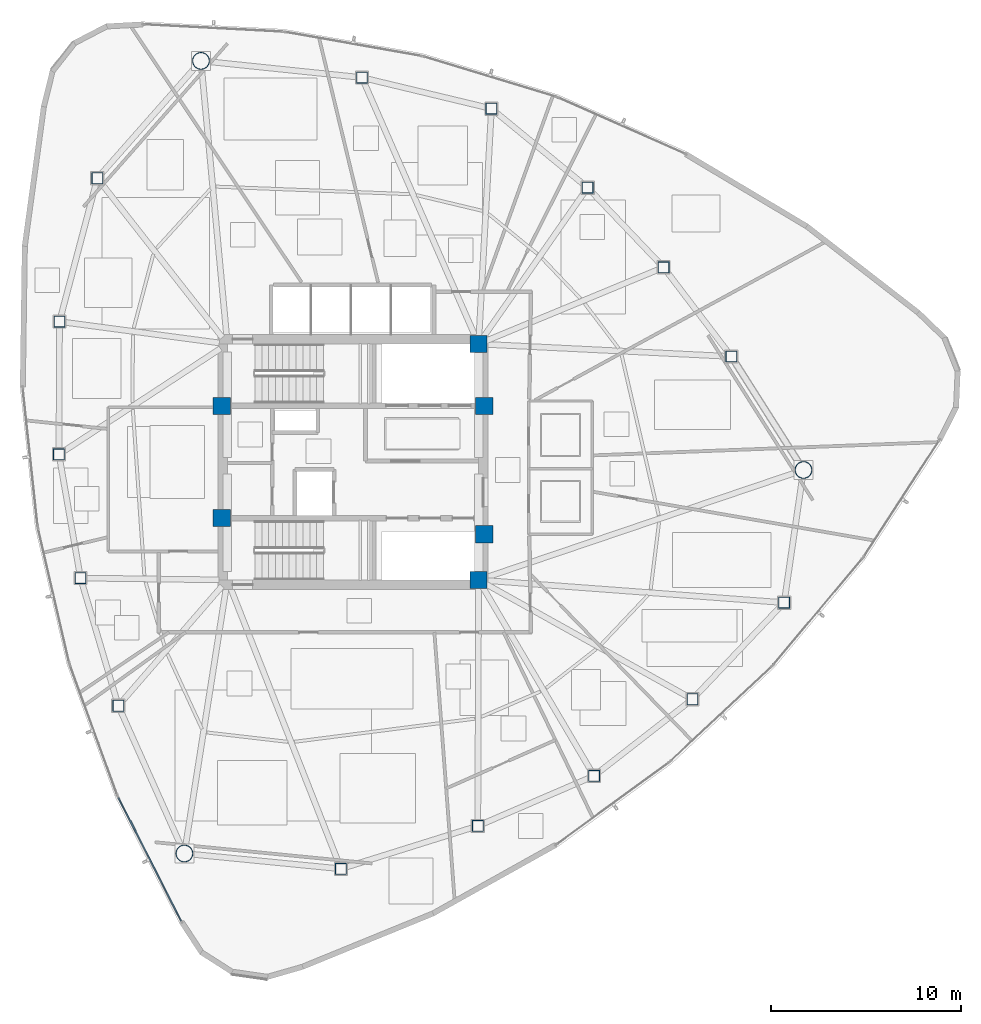
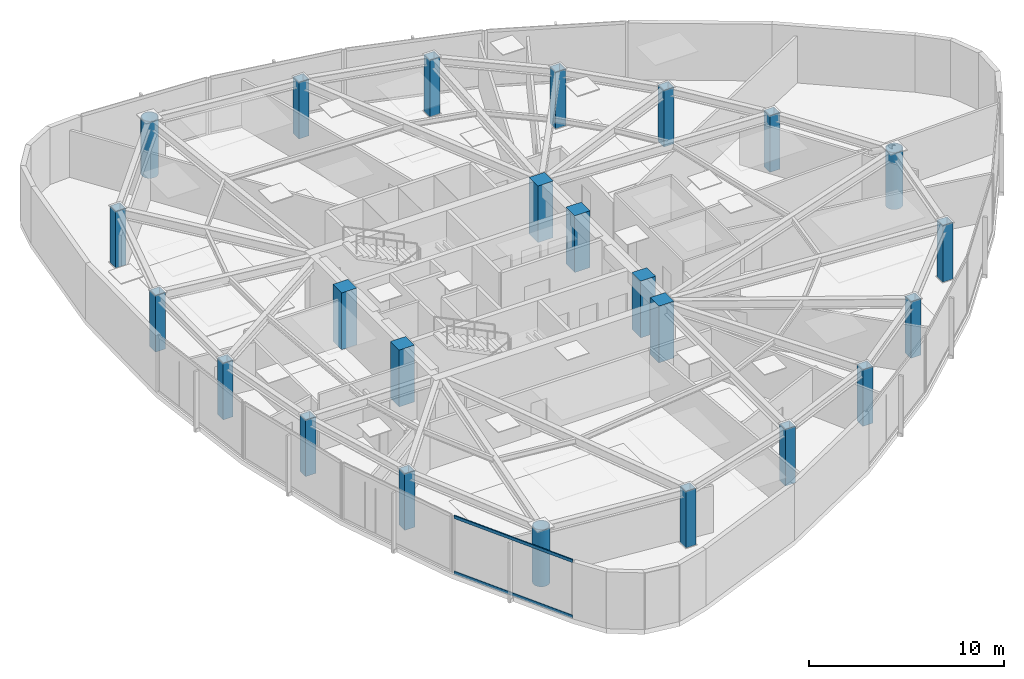
# One storey, part 1 of 17: 24 columns, 2 members, 1 element without a shape of its own.
"""IFC4 building model written with IfcOpenShell, lengths in metres."""

import ifcopenshell
import ifcopenshell.guid

model = None  # the IFC model being written
_history = None  # IfcOwnerHistory: only IFC2X3 demands one
_inside = {}  # id of a spatial element -> (the spatial element, [elements in it])
_under = {}  # id of a project, library or spatial element -> (it, [spatial elements below it])
_declared = {}  # id of a project -> (the project, [libraries it declares])
_typed = {}  # id of a type object -> (the type object, [elements of that type])
_made_of = {}  # id of a material, layer set ... -> (it, [elements and type objects made of it])


def new_model(schema):
    """Start an empty IFC model of exactly this schema.

    Asked for "IFC4X3", IfcOpenShell would pick the latest addendum, in which some entities
    have other attributes; the version numbers below select the first issue.
    IFC2X3 requires an IfcOwnerHistory on every rooted entity: one is made here for all.
    """
    global model, _history
    if schema == "IFC4X3":
        model = ifcopenshell.file(schema_version=(4, 3, 0, 0))
    else:
        model = ifcopenshell.file(schema=schema)
    _inside.clear()
    _under.clear()
    _declared.clear()
    _typed.clear()
    _made_of.clear()
    _history = None
    if model.schema == "IFC2X3":
        org = make("IfcOrganization", Name="unknown")
        user = make(
            "IfcPersonAndOrganization",
            ThePerson=make("IfcPerson", FamilyName="unknown"),
            TheOrganization=org,
        )
        app = make(
            "IfcApplication",
            ApplicationDeveloper=org,
            Version="unknown",
            ApplicationFullName="unknown",
            ApplicationIdentifier="unknown",
        )
        _history = make(
            "IfcOwnerHistory",
            OwningUser=user,
            OwningApplication=app,
            ChangeAction="ADDED",
            CreationDate=0,
        )
    return model


def make(cls, **values):
    """One entity of the class cls with the attributes given. An attribute that is None is left unset."""
    return model.create_entity(
        cls, **{name: value for name, value in values.items() if value is not None}
    )


def rooted(cls, **values):
    """An entity with a GlobalId (a new one), such as an element, a storey or a relation."""
    return make(cls, GlobalId=ifcopenshell.guid.new(), OwnerHistory=_history, **values)


def si_unit(unit_type, name, prefix=None):
    """IfcSIUnit, for example si_unit("LENGTHUNIT", "METRE", prefix="MILLI")."""
    return make("IfcSIUnit", UnitType=unit_type, Prefix=prefix, Name=name)


def assignment(units):
    """IfcUnitAssignment: the units of a project."""
    return None if units is None else make("IfcUnitAssignment", Units=units)


def point(xyz):
    """IfcCartesianPoint."""
    return None if xyz is None else make("IfcCartesianPoint", Coordinates=xyz)


def direction(xyz):
    """IfcDirection."""
    return None if xyz is None else make("IfcDirection", DirectionRatios=xyz)


def frame(location, z_axis=None, x_axis=None):
    """IfcAxis2Placement3D, a coordinate frame: its origin and axes. An axis left out is left unset."""
    return make(
        "IfcAxis2Placement3D",
        Location=point(location),
        Axis=direction(z_axis),
        RefDirection=direction(x_axis),
    )


def frame_2d(location, x_axis=None):
    """IfcAxis2Placement2D, a coordinate frame in the plane: its origin and x axis."""
    return make(
        "IfcAxis2Placement2D", Location=point(location), RefDirection=direction(x_axis)
    )


def origin():
    """The frame at (0, 0, 0) with its axes left unset."""
    return frame((0.0, 0.0, 0.0))


def origin_2d():
    """The frame at (0, 0) in the plane with its x axis left unset."""
    return frame_2d((0.0, 0.0))


def place(relative_to, where):
    """IfcLocalPlacement: puts the frame where relative to a parent placement (None: the world)."""
    return make(
        "IfcLocalPlacement", PlacementRelTo=relative_to, RelativePlacement=where
    )


def context(
    kind, dimensions, precision=None, world=None, true_north=None, identifier=None
):
    """IfcGeometricRepresentationContext, for example the 3D "Model" context."""
    return make(
        "IfcGeometricRepresentationContext",
        ContextIdentifier=identifier,
        ContextType=kind,
        CoordinateSpaceDimension=dimensions,
        Precision=precision,
        WorldCoordinateSystem=world,
        TrueNorth=true_north,
    )


def subcontext(parent, identifier, kind, view, scale=None):
    """IfcGeometricRepresentationSubContext, for example "Body" below "Model"."""
    return make(
        "IfcGeometricRepresentationSubContext",
        ContextIdentifier=identifier,
        ContextType=kind,
        ParentContext=parent,
        TargetScale=scale,
        TargetView=view,
    )


def project(units=None, contexts=None):
    """IfcProject with its units and contexts."""
    return rooted(
        "IfcProject",
        Name="project",
        RepresentationContexts=contexts,
        UnitsInContext=assignment(units),
    )


def spatial(cls, under=None, at=None, **own):
    """A site, building, storey or space (cls), placed at a placement, below another one or the project."""
    s = rooted(cls, ObjectPlacement=at, **own)
    if under is not None:
        _under.setdefault(under.id(), (under, []))[1].append(s)
    return s


def profile(cls, at=None, kind="AREA", **sizes):
    """A parametric profile (cls). Its sizes go by their IFC names, for example OverallWidth=200.0."""
    return make(cls, ProfileType=kind, Position=at, **sizes)


def rectangle(**sizes):
    """IfcRectangleProfileDef."""
    return profile("IfcRectangleProfileDef", **sizes)


def hollow_rectangle(**sizes):
    """IfcRectangleHollowProfileDef."""
    return profile("IfcRectangleHollowProfileDef", **sizes)


def hollow_circle(**sizes):
    """IfcCircleHollowProfileDef."""
    return profile("IfcCircleHollowProfileDef", **sizes)


def extrude(swept, where, along, depth):
    """IfcExtrudedAreaSolid: the profile swept, set in the frame where, extruded along a direction by depth."""
    return make(
        "IfcExtrudedAreaSolid",
        SweptArea=swept,
        Position=where,
        ExtrudedDirection=direction(along),
        Depth=depth,
    )


def shape(context_of_items, identifier, shape_type, items):
    """IfcShapeRepresentation: the items that make up one representation, for example the "Body"."""
    return make(
        "IfcShapeRepresentation",
        ContextOfItems=context_of_items,
        RepresentationIdentifier=identifier,
        RepresentationType=shape_type,
        Items=items,
    )


def source(mapping_origin, context_of_items, identifier, shape_type, items):
    """IfcRepresentationMap: a shape defined once, which mapped items show again and again."""
    return make(
        "IfcRepresentationMap",
        MappingOrigin=mapping_origin,
        MappedRepresentation=shape(context_of_items, identifier, shape_type, items),
    )


def transform(
    local_origin,
    x_axis=None,
    y_axis=None,
    z_axis=None,
    scale=None,
    scale2=None,
    scale3=None,
    uniform=True,
):
    """IfcCartesianTransformationOperator3D, or its non-uniform kind. x_axis, y_axis, z_axis: its Axis1, 2, 3."""
    if uniform:
        return make(
            "IfcCartesianTransformationOperator3D",
            Axis1=direction(x_axis),
            Axis2=direction(y_axis),
            LocalOrigin=point(local_origin),
            Scale=scale,
            Axis3=direction(z_axis),
        )
    return make(
        "IfcCartesianTransformationOperator3DnonUniform",
        Axis1=direction(x_axis),
        Axis2=direction(y_axis),
        LocalOrigin=point(local_origin),
        Scale=scale,
        Axis3=direction(z_axis),
        Scale2=scale2,
        Scale3=scale3,
    )


def mapped(mapping_source, mapping_target):
    """IfcMappedItem: shows the shape of a source again, moved by a transform."""
    return make(
        "IfcMappedItem", MappingSource=mapping_source, MappingTarget=mapping_target
    )


def material(Name=None, Category=None):
    """IfcMaterial."""
    return make("IfcMaterial", Name=Name, Category=Category)


def layer(
    of_material, thickness, ventilated=None, Name=None, Category=None, Priority=None
):
    """IfcMaterialLayer: one layer of a wall or slab, of a material (None: an air gap)."""
    return make(
        "IfcMaterialLayer",
        Material=of_material,
        LayerThickness=thickness,
        IsVentilated=ventilated,
        Name=Name,
        Category=Category,
        Priority=Priority,
    )


def layer_set(layers, Name=None):
    """IfcMaterialLayerSet."""
    return make("IfcMaterialLayerSet", MaterialLayers=layers, LayerSetName=Name)


def material_profile(
    of_material, cross_section, Name=None, Category=None, Priority=None
):
    """IfcMaterialProfile: a cross section and its material."""
    return make(
        "IfcMaterialProfile",
        Name=Name,
        Material=of_material,
        Profile=cross_section,
        Priority=Priority,
        Category=Category,
    )


def profile_set(profiles, Name=None, composite=None):
    """IfcMaterialProfileSet."""
    return make(
        "IfcMaterialProfileSet",
        Name=Name,
        MaterialProfiles=profiles,
        CompositeProfile=composite,
    )


def made_of(thing, what):
    """Note that an element or type object is made of a material, layer set ...; save() writes the relation."""
    if what is not None:
        _made_of.setdefault(what.id(), (what, []))[1].append(thing)
    return thing


def type_object(cls, material=None, **own):
    """A type object (cls), such as IfcWallType, which elements share."""
    return made_of(rooted(cls, **own), material)


def type_shapes(of_type, sources):
    """Give a type object the sources (RepresentationMaps) that its elements show as mapped items."""
    of_type.RepresentationMaps = sources


def element(
    cls,
    number,
    at=None,
    inside=None,
    cuts=None,
    type_object=None,
    material=None,
    context=None,
    identifier="Body",
    shape_type=None,
    held_by="IfcProductDefinitionShape",
    body=None,
    shapes=None,
    **own,
):
    """One element of the class cls, such as IfcWall. Its Tag is "e" and its number.

    at: its placement. inside: the storey or other place that contains it. cuts: it is an
    opening in that element (IfcRelVoidsElement). A single representation is given by context,
    identifier, shape_type and body (its items); several are given by shapes. held_by: the class
    of the entity that holds the representations. save() writes the other relations.
    """
    e = rooted(cls, Tag="e%d" % number, ObjectPlacement=at, **own)
    if body is not None:
        shapes = [shape(context, identifier, shape_type, body)]
    if shapes is not None:
        e.Representation = make(held_by, Representations=shapes)
    if inside is not None:
        _inside.setdefault(inside.id(), (inside, []))[1].append(e)
    if cuts is not None:
        rooted(
            "IfcRelVoidsElement", RelatingBuildingElement=cuts, RelatedOpeningElement=e
        )
    if type_object is not None:
        _typed.setdefault(type_object.id(), (type_object, []))[1].append(e)
    return made_of(e, material)


def aggregate(whole, parts):
    """IfcRelAggregates: a whole, such as a stair, and the parts it consists of."""
    return rooted("IfcRelAggregates", RelatingObject=whole, RelatedObjects=parts)


def save(model, path):
    """Write the relations noted so far, then the file.

    IfcRelAggregates (storeys below a building ...), IfcRelContainedInSpatialStructure (elements
    in a storey), IfcRelDefinesByType, IfcRelAssociatesMaterial and IfcRelDeclares: one each for
    every whole, place, type object, material and project.
    """
    for whole, parts in _under.values():
        aggregate(whole, parts)
    for where, things in _inside.values():
        rooted(
            "IfcRelContainedInSpatialStructure",
            RelatedElements=things,
            RelatingStructure=where,
        )
    for kind, things in _typed.values():
        rooted("IfcRelDefinesByType", RelatedObjects=things, RelatingType=kind)
    for what, things in _made_of.values():
        rooted("IfcRelAssociatesMaterial", RelatedObjects=things, RelatingMaterial=what)
    for by, libraries in _declared.values():
        rooted("IfcRelDeclares", RelatingContext=by, RelatedDefinitions=libraries)
    model.write(path)


model = new_model("IFC4")

# Units and contexts
model_context = context("Model", 3, precision=1e-05, world=origin(), true_north=direction((0.0, 1.0)))
body_context = subcontext(model_context, "Body", "Model", "MODEL_VIEW")
ifc_project = project(units=[si_unit("LENGTHUNIT", "METRE"), si_unit("AREAUNIT", "SQUARE_METRE"), si_unit("VOLUMEUNIT", "CUBIC_METRE"), si_unit("PLANEANGLEUNIT", "RADIAN"), si_unit("MASSUNIT", "GRAM", prefix="KILO")], contexts=[model_context])

# Site, building, storey
site_placement = place(None, origin())
site = spatial("IfcSite", under=ifc_project, at=site_placement, CompositionType="ELEMENT")
building_placement = place(site_placement, origin())
building = spatial("IfcBuilding", under=site, at=building_placement, Name="Tavelor Broadcast Tower", CompositionType="ELEMENT")
storey_placement = place(building_placement, frame((0.0, 0.0, 200.300048828125)))
storey = spatial("IfcBuildingStorey", under=building, at=storey_placement, Name="L48", CompositionType="ELEMENT", Elevation=200.300048828125)

# Columns
ifc_material_1 = material(Name="Concrete C50/60", Category="concrete")
ifc_material_profile_1 = material_profile(ifc_material_1, rectangle(XDim=0.89990234375, YDim=0.89990234375, at=origin_2d()), Name="RC 900x900")
ifc_profile_set_1 = profile_set([ifc_material_profile_1], Name="Concrete C50/60")
column_type_1 = type_object("IfcColumnType", Name="Core Embedded Composite Column RC900", PredefinedType="COLUMN", material=ifc_profile_set_1)
for number, where, z_axis, x_axis, name in (
    (1, (43.10009765625, 47.949951171875, 0.0), (0.0, 0.0, 1.0), (1.0, 0.0, 0.0), "L48 Core Embedded Column 1"),
    (2, (56.89990234375, 47.949951171875, 0.0), (0.0, 0.0, 1.0), (1.0, 0.0, 0.0), "L48 Core Embedded Column 2"),
    (3, (56.60009765625, 51.199951171875, 0.0), (0.0, 0.0, 1.0), (1.0, 0.0, 0.0), "L48 Core Embedded Column 3"),
    (4, (43.10009765625, 42.050048828125, 0.0), (0.0, 0.0, 1.0), (1.0, 0.0, 0.0), "L48 Core Embedded Column 4"),
    (5, (56.89990234375, 41.199951171875, 0.0), (0.0, 0.0, 1.0), (1.0, 0.0, 0.0), "L48 Core Embedded Column 5"),
    (6, (56.60009765625, 38.800048828125, 0.0), (0.0, 0.0, 1.0), (1.0, 0.0, 0.0), "L48 Core Embedded Column 6"),
):
    element("IfcColumn", number, at=place(storey_placement, frame(where, z_axis=z_axis, x_axis=x_axis)), inside=storey, type_object=column_type_1, Name=name, PredefinedType="COLUMN", context=body_context, shape_type="SweptSolid", body=[
        extrude(rectangle(XDim=0.89990234375, YDim=0.89990234375, at=origin_2d()), origin(), (0.0, 0.0, 1.0), 3.550048828125),
    ])
ifc_material_2 = material(Name="Steel S460", Category="steel")
ifc_material_profile_2 = material_profile(ifc_material_2, hollow_rectangle(XDim=0.60009765625, YDim=0.60009765625, WallThickness=0.035888671875, at=origin_2d()), Name="SHS 600x600x36")
ifc_profile_set_2 = profile_set([ifc_material_profile_2], Name="Steel S460")
column_type_2 = type_object("IfcColumnType", Name="Perimeter Tube Column T4 SHS 600x600x36", PredefinedType="COLUMN", material=ifc_profile_set_2)
for number, where, z_axis, x_axis, name in (
    (7, (36.567626953125, 59.91064453125, 0.0), (0.0, 0.0, 1.0), (1.0, 0.0, 0.0), "L48 Perimeter Framed-Tube Column 02"),
    (8, (34.5751953125, 52.37939453125, 0.0), (0.0, 0.0, 1.0), (1.0, 0.0, 0.0), "L48 Perimeter Framed-Tube Column 03"),
    (9, (34.54638671875, 45.399169921875, 0.0), (0.0, 0.0, 1.0), (1.0, 0.0, 0.0), "L48 Perimeter Framed-Tube Column 04"),
    (10, (35.680908203125, 38.89990234375, 0.0), (0.0, 0.0, 1.0), (1.0, 0.0, 0.0), "L48 Perimeter Framed-Tube Column 05"),
    (11, (37.668212890625, 32.1904296875, 0.0), (0.0, 0.0, 1.0), (1.0, 0.0, 0.0), "L48 Perimeter Framed-Tube Column 06"),
    (12, (49.366455078125, 23.618896484375, 0.0), (0.0, 0.0, 1.0), (1.0, 0.0, 0.0), "L48 Perimeter Framed-Tube Column 08"),
    (13, (56.56103515625, 25.872802734375, 0.0), (0.0, 0.0, 1.0), (1.0, 0.0, 0.0), "L48 Perimeter Framed-Tube Column 09"),
    (14, (62.669189453125, 28.503173828125, 0.0), (0.0, 0.0, 1.0), (1.0, 0.0, 0.0), "L48 Perimeter Framed-Tube Column 10"),
    (15, (67.84228515625, 32.53173828125, 0.0), (0.0, 0.0, 1.0), (1.0, 0.0, 0.0), "L48 Perimeter Framed-Tube Column 11"),
    (16, (72.6591796875, 37.607421875, 0.0), (0.0, 0.0, 1.0), (1.0, 0.0, 0.0), "L48 Perimeter Framed-Tube Column 12"),
    (17, (69.885986328125, 50.544189453125, 0.0), (0.0, 0.0, 1.0), (1.0, 0.0, 0.0), "L48 Perimeter Framed-Tube Column 14"),
    (18, (66.322021484375, 55.228759765625, 0.0), (0.0, 0.0, 1.0), (1.0, 0.0, 0.0), "L48 Perimeter Framed-Tube Column 15"),
    (19, (62.330810546875, 59.416259765625, 0.0), (0.0, 0.0, 1.0), (1.0, 0.0, 0.0), "L48 Perimeter Framed-Tube Column 16"),
    (20, (57.276611328125, 63.568359375, 0.0), (0.0, 0.0, 1.0), (1.0, 0.0, 0.0), "L48 Perimeter Framed-Tube Column 17"),
    (21, (50.472412109375, 65.2021484375, 0.0), (0.0, 0.0, 1.0), (1.0, 0.0, 0.0), "L48 Perimeter Framed-Tube Column 18"),
):
    element("IfcColumn", number, at=place(storey_placement, frame(where, z_axis=z_axis, x_axis=x_axis)), inside=storey, type_object=column_type_2, Name=name, PredefinedType="COLUMN", context=body_context, shape_type="SweptSolid", body=[
        extrude(hollow_rectangle(XDim=0.60009765625, YDim=0.60009765625, WallThickness=0.035888671875, at=origin_2d()), origin(), (0.0, 0.0, 1.0), 3.550048828125),
    ])
ifc_material_profile_3 = material_profile(ifc_material_2, hollow_circle(Radius=0.45703125, WallThickness=0.0400390625, at=origin_2d()), Name="CHS 914x40")
ifc_profile_set_3 = profile_set([ifc_material_profile_3], Name="Steel S460")
column_type_3 = type_object("IfcColumnType", Name="Tower Mega Column T4 CHS 914x40", PredefinedType="COLUMN", material=ifc_profile_set_3)
for number, where, z_axis, x_axis, name in (
    (22, (42.01123046875, 66.080078125, 0.0), (0.0, 0.0, 1.0), (1.0, 0.0, 0.0), "L48 Tower Corner Mega Column 01"),
    (23, (41.138671875, 24.423828125, 0.0), (0.0, 0.0, 1.0), (1.0, 0.0, 0.0), "L48 Tower Corner Mega Column 07"),
    (24, (73.676025390625, 44.57958984375, 0.0), (0.0, 0.0, 1.0), (1.0, 0.0, 0.0), "L48 Tower Corner Mega Column 13"),
):
    element("IfcColumn", number, at=place(storey_placement, frame(where, z_axis=z_axis, x_axis=x_axis)), inside=storey, type_object=column_type_3, Name=name, PredefinedType="COLUMN", context=body_context, shape_type="SweptSolid", body=[
        extrude(hollow_circle(Radius=0.45703125, WallThickness=0.0400390625, at=origin_2d()), origin(), (0.0, 0.0, 1.0), 3.550048828125),
    ])

# Curtain wall, members
ifc_material_3 = material(Name="Architectural Anodized Aluminium", Category="aluminium")
ifc_layer = layer(ifc_material_3, 0.18994140625)
ifc_layer_set = layer_set([ifc_layer], Name="Architectural Anodized Aluminium")
curtain_wall_type = type_object("IfcCurtainWallType", Name="Tower Mid-Zone Acoustic Curtain Wall CW03", PredefinedType="NOTDEFINED", material=ifc_layer_set)
curtain_wall_placement = place(storey_placement, origin())
curtain_wall = element("IfcCurtainWall", 25, at=curtain_wall_placement, inside=storey, type_object=curtain_wall_type, Name="L48 Curtain Wall CW03 Run 520", PredefinedType="NOTDEFINED")
ifc_material_profile_4 = material_profile(ifc_material_3, hollow_rectangle(XDim=0.068115234375, YDim=0.18994140625, WallThickness=0.02197265625, at=origin_2d()), Name="RHS 68x190x22")
ifc_profile_set_4 = profile_set([ifc_material_profile_4], Name="Architectural Anodized Aluminium")
member_type = type_object("IfcMemberType", Name="CW03 Extruded Aluminium Transom 68x190", PredefinedType="USERDEFINED", material=ifc_profile_set_4)
shared_shape = source(origin(), body_context, "Body", "SweptSolid", [
    extrude(hollow_rectangle(XDim=0.068115234375, YDim=0.18994140625, WallThickness=0.02197265625, at=origin_2d()), origin(), (0.0, 0.0, 1.0), 7.252685546875),
])
type_shapes(member_type, [shared_shape])
member_1_placement = place(storey_placement, frame((37.677490234375, 27.3486328125, 0.033935546875), z_axis=(0.453624712829, -0.891192807372, 0.0), x_axis=(0.891192807372, 0.453624712829, 0.0)))
member_1 = element("IfcMember", 26, at=member_1_placement, type_object=member_type, Name="CW03 transom 1.1", ObjectType="TRANSOM", PredefinedType="USERDEFINED", context=body_context, shape_type="MappedRepresentation", body=[
    mapped(shared_shape, transform((0.0, 0.0, 0.0), scale=1.0)),
])
member_2_placement = place(storey_placement, frame((37.677490234375, 27.3486328125, 3.515869140625), z_axis=(0.453624712829, -0.891192807372, 0.0), x_axis=(0.891192807372, 0.453624712829, 0.0)))
member_2 = element("IfcMember", 27, at=member_2_placement, type_object=member_type, Name="CW03 transom 1.2", ObjectType="TRANSOM", PredefinedType="USERDEFINED", context=body_context, shape_type="MappedRepresentation", body=[
    mapped(shared_shape, transform((0.0, 0.0, 0.0), scale=1.0)),
])
aggregate(curtain_wall, [member_1, member_2])

save(model, "model.ifc")
